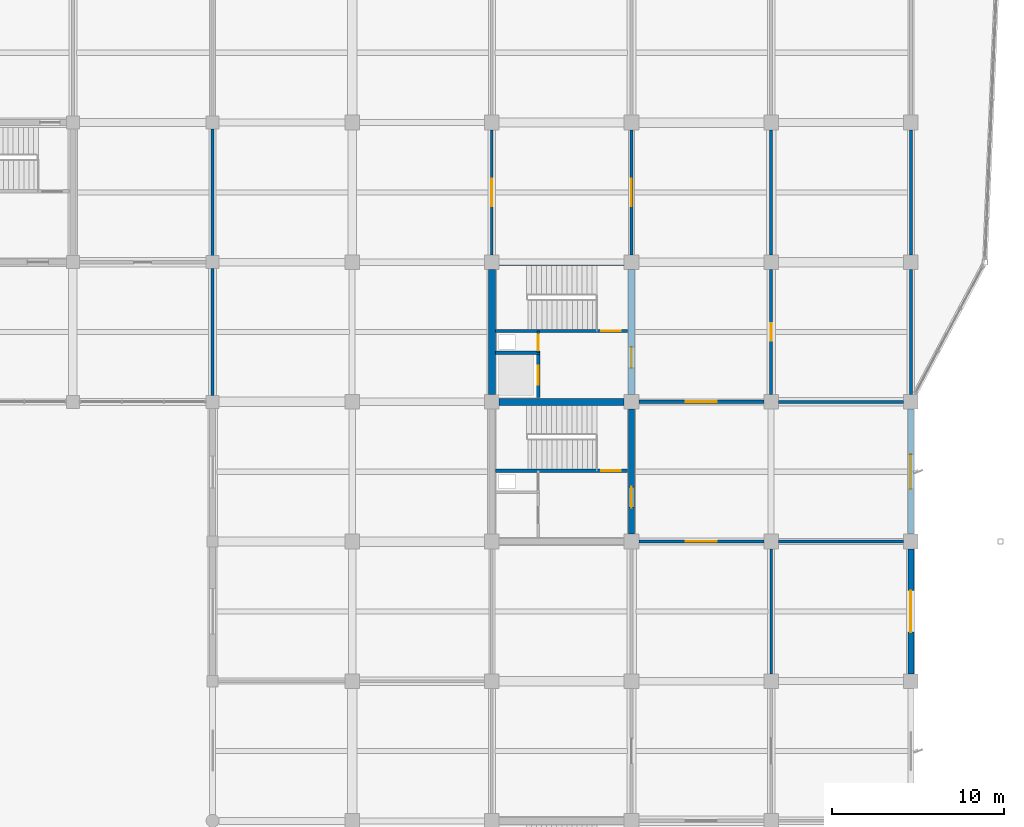
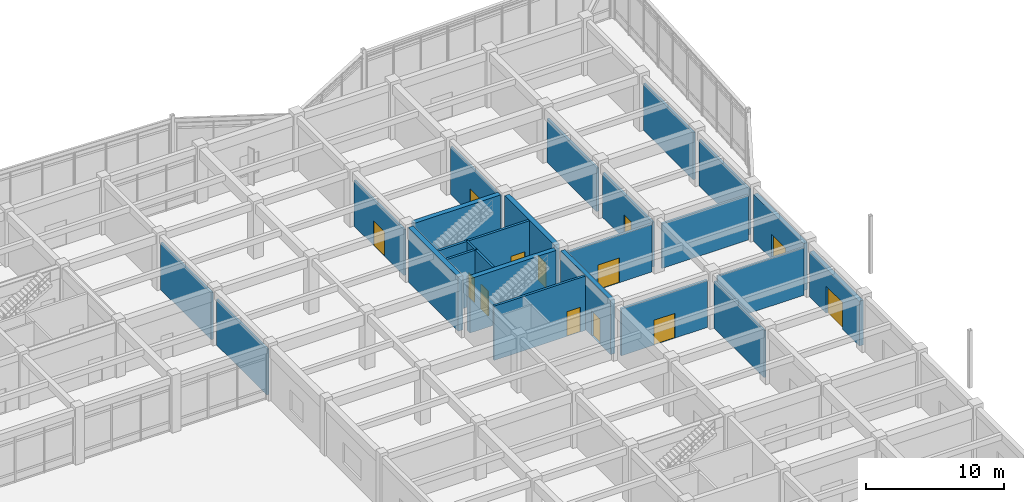
# One storey, part 71 of 99: 25 walls, 13 doors, 13 openings.
"""IFC4 building model written with IfcOpenShell, lengths in metres."""

from ifc_helpers import new_model, si_unit, direction, frame, frame_2d, origin, place, context, subcontext, project, spatial, rectangle, extrude, material, layer, layer_set, type_object, element, fill, save


model = new_model("IFC4")

# Units and contexts
model_context = context("Model", 3, precision=1e-05, world=origin(), true_north=direction((0.0, 1.0)))
body_context = subcontext(model_context, "Body", "Model", "MODEL_VIEW")
ifc_project = project(units=[si_unit("LENGTHUNIT", "METRE"), si_unit("AREAUNIT", "SQUARE_METRE"), si_unit("VOLUMEUNIT", "CUBIC_METRE"), si_unit("PLANEANGLEUNIT", "RADIAN"), si_unit("MASSUNIT", "GRAM", prefix="KILO")], contexts=[model_context])

# Site, building, storey
site_placement = place(None, origin())
site = spatial("IfcSite", under=ifc_project, at=site_placement, CompositionType="ELEMENT")
building_placement = place(site_placement, origin())
building = spatial("IfcBuilding", under=site, at=building_placement, Name="Vaudrelin Polytechnic", CompositionType="ELEMENT")
storey_placement = place(building_placement, origin())
storey = spatial("IfcBuildingStorey", under=building, at=storey_placement, Name="L00", CompositionType="ELEMENT", Elevation=0.0)

# Wall, opening, door
ifc_material_1 = material(Name="Precast concrete 35 MPa with terracotta baguette screen", Category="masonry")
ifc_layer_1 = layer(ifc_material_1, 0.35009765625)
ifc_layer_set_1 = layer_set([ifc_layer_1], Name="Precast concrete 35 MPa with terracotta baguette screen")
wall_type_1 = type_object("IfcWallType", Name="WAL-EW-TERR350", PredefinedType="STANDARD", material=ifc_layer_set_1)
wall_1_placement = place(storey_placement, frame((170.10009765625, 81.423095703125, 0.0), z_axis=(0.0, 0.0, 1.0), x_axis=(0.0, 1.0, 0.0)))
wall_1 = element("IfcWall", 1, at=wall_1_placement, inside=storey, type_object=wall_type_1, Name="Exterior wall L00 E_V4_08", PredefinedType="STANDARD", context=body_context, shape_type="SweptSolid", body=[
    extrude(rectangle(XDim=7.25390625, YDim=0.35009765625, at=frame_2d((3.626953125, 0.0))), origin(), (0.0, 0.0, 1.0), 3.971923828125),
])
opening_1_placement = place(wall_1_placement, frame((4.826904296875, 0.0, 0.0), z_axis=(0.0, 0.0, 1.0), x_axis=(-1.0, 0.0, 0.0)))
opening_1 = element("IfcOpeningElement", 2, at=opening_1_placement, cuts=wall_1, Name="Opening ED-00-21", PredefinedType="OPENING", context=body_context, shape_type="SweptSolid", body=[
    extrude(rectangle(XDim=2.39990234375, YDim=2.39990234375, at=frame_2d((1.199951171875, 1.199951171875))), frame((0.0, 0.18505859375, 0.0), z_axis=(0.0, -1.0, 0.0), x_axis=(1.0, 0.0, 0.0)), (0.0, 0.0, 1.0), 0.3701171875),
])
ifc_material_2 = material(Name="Thermally broken anodised aluminium AA 6063-T6", Category="aluminium")
door_type_1 = type_object("IfcDoorType", Name="DOR-ED-01", OperationType="DOUBLE_SWING_LEFT", PredefinedType="DOOR", material=ifc_material_2)
door_1_placement = place(opening_1_placement, origin())
door_1 = element("IfcDoor", 3, at=door_1_placement, inside=storey, type_object=door_type_1, Name="Exterior exit door ED-00-21", OperationType="DOUBLE_SWING_RIGHT", OverallHeight=2.39990234375, OverallWidth=2.39990234375, PredefinedType="DOOR", context=body_context, shape_type="SweptSolid", body=[
    extrude(rectangle(XDim=2.39990234375, YDim=2.39990234375, at=frame_2d((1.199951171875, 1.199951171875))), frame((0.0, 0.02490234375, 0.0), z_axis=(0.0, -1.0, 0.0), x_axis=(1.0, 0.0, 0.0)), (0.0, 0.0, 1.0), 0.050048828125),
])
fill(opening_1, door_1)

wall_2_placement = place(storey_placement, frame((170.10009765625, 89.52294921875, 0.0), z_axis=(0.0, 0.0, 1.0), x_axis=(0.0, 1.0, 0.0)))
wall_2 = element("IfcWall", 4, at=wall_2_placement, inside=storey, type_object=wall_type_1, Name="Exterior wall L00 E_V4_09", PredefinedType="STANDARD", context=body_context, shape_type="SweptSolid", body=[
    extrude(rectangle(XDim=7.254150390625, YDim=0.35009765625, at=frame_2d((3.626953125, 0.0))), origin(), (0.0, 0.0, 1.0), 4.172119140625),
])
opening_2_placement = place(wall_2_placement, frame((4.626953125, 0.0, 0.0), z_axis=(0.0, 0.0, 1.0), x_axis=(-1.0, 0.0, 0.0)))
opening_2 = element("IfcOpeningElement", 5, at=opening_2_placement, cuts=wall_2, Name="Opening ED-00-33", PredefinedType="OPENING", context=body_context, shape_type="SweptSolid", body=[
    extrude(rectangle(XDim=2.0, YDim=2.199951171875, at=frame_2d((1.0, 1.10009765625))), frame((0.0, 0.18505859375, 0.0), z_axis=(0.0, -1.0, 0.0), x_axis=(1.0, 0.0, 0.0)), (0.0, 0.0, 1.0), 0.3701171875),
])
door_type_2 = type_object("IfcDoorType", Name="DOR-ED-02", OperationType="DOUBLE_SWING_LEFT", PredefinedType="DOOR", material=ifc_material_2)
door_2_placement = place(opening_2_placement, origin())
door_2 = element("IfcDoor", 6, at=door_2_placement, inside=storey, type_object=door_type_2, Name="Exterior exit door ED-00-33", OperationType="DOUBLE_SWING_RIGHT", OverallHeight=2.199951171875, OverallWidth=2.0, PredefinedType="DOOR", context=body_context, shape_type="SweptSolid", body=[
    extrude(rectangle(XDim=2.0, YDim=2.199951171875, at=frame_2d((1.0, 1.10009765625))), frame((0.0, 0.02490234375, 0.0), z_axis=(0.0, -1.0, 0.0), x_axis=(1.0, 0.0, 0.0)), (0.0, 0.0, 1.0), 0.050048828125),
])
fill(opening_2, door_2)

# Wall
ifc_material_3 = material(Name="Acoustic double-stud gypsum & mineral-wool partition", Category="gypsum")
ifc_layer_2 = layer(ifc_material_3, 0.179931640625)
ifc_layer_set_2 = layer_set([ifc_layer_2], Name="Acoustic double-stud gypsum & mineral-wool partition")
wall_type_2 = type_object("IfcWallType", Name="WAL-PW-AC180", PredefinedType="PARTITIONING", material=ifc_layer_set_2)
wall_3_placement = place(storey_placement, frame((129.60009765625, 105.673095703125, 0.0), z_axis=(0.0, 0.0, 1.0), x_axis=(0.0, 1.0, 0.0)))
element("IfcWall", 7, at=wall_3_placement, inside=storey, type_object=wall_type_2, Name="Partition L00-019 E", PredefinedType="PARTITIONING", context=body_context, shape_type="SweptSolid", body=[
    extrude(rectangle(XDim=7.35400390625, YDim=0.179931640625, at=frame_2d((3.677001953125, 0.0))), origin(), (0.0, 0.0, 1.0), 4.172119140625),
])

# Wall, opening, door
wall_4_placement = place(storey_placement, frame((162.0, 97.623046875, 0.0), z_axis=(0.0, 0.0, 1.0), x_axis=(0.0, 1.0, 0.0)))
wall_4 = element("IfcWall", 8, at=wall_4_placement, inside=storey, type_object=wall_type_2, Name="Partition L00-036 W", PredefinedType="PARTITIONING", context=body_context, shape_type="SweptSolid", body=[
    extrude(rectangle(XDim=7.25390625, YDim=0.179931640625, at=frame_2d((3.626953125, 0.0))), origin(), (0.0, 0.0, 1.0), 3.971923828125),
])
opening_3_placement = place(wall_4_placement, frame((3.126953125, 0.0, 0.0)))
opening_3 = element("IfcOpeningElement", 9, at=opening_3_placement, cuts=wall_4, Name="Opening D-L00-444", PredefinedType="OPENING", context=body_context, shape_type="SweptSolid", body=[
    extrude(rectangle(XDim=1.0, YDim=2.14990234375, at=frame_2d((0.5, 1.074951171875))), frame((0.0, 0.10009765625, 0.0), z_axis=(0.0, -1.0, 0.0), x_axis=(1.0, 0.0, 0.0)), (0.0, 0.0, 1.0), 0.199951171875),
])
ifc_material_4 = material(Name="Solid-core birch veneer acoustic leaf", Category="wood")
door_type_3 = type_object("IfcDoorType", Name="DOR-ID-SEM1", OperationType="NOTDEFINED", PredefinedType="DOOR", material=ifc_material_4)
door_3_placement = place(opening_3_placement, origin())
door_3 = element("IfcDoor", 10, at=door_3_placement, inside=storey, type_object=door_type_3, Name="Seminar Room 004 door L00-036", OperationType="SINGLE_SWING_LEFT", OverallHeight=2.14990234375, OverallWidth=1.0, PredefinedType="DOOR", context=body_context, shape_type="SweptSolid", body=[
    extrude(rectangle(XDim=1.0, YDim=2.14990234375, at=frame_2d((0.5, 1.074951171875))), frame((0.0, 0.02490234375, 0.0), z_axis=(0.0, -1.0, 0.0), x_axis=(1.0, 0.0, 0.0)), (0.0, 0.0, 1.0), 0.050048828125),
])
fill(opening_3, door_3)

# Walls
wall_5_placement = place(storey_placement, frame((162.0, 105.722900390625, 0.0), z_axis=(0.0, 0.0, 1.0), x_axis=(0.0, 1.0, 0.0)))
element("IfcWall", 11, at=wall_5_placement, inside=storey, type_object=wall_type_2, Name="Partition L00-036 W", PredefinedType="PARTITIONING", context=body_context, shape_type="SweptSolid", body=[
    extrude(rectangle(XDim=7.254150390625, YDim=0.179931640625, at=frame_2d((3.626953125, 0.0))), origin(), (0.0, 0.0, 1.0), 3.8720703125),
])
wall_6_placement = place(storey_placement, frame((162.423095703125, 97.199951171875, 0.0), z_axis=(0.0, 0.0, 1.0), x_axis=(1.0, 0.0, 0.0)))
element("IfcWall", 12, at=wall_6_placement, inside=storey, type_object=wall_type_2, Name="Partition L00-036 S", PredefinedType="PARTITIONING", context=body_context, shape_type="SweptSolid", body=[
    extrude(rectangle(XDim=7.25390625, YDim=0.179931640625, at=frame_2d((3.626953125, 0.0))), origin(), (0.0, 0.0, 1.0), 3.971923828125),
])
wall_7_placement = place(storey_placement, frame((170.10009765625, 97.623046875, 0.0), z_axis=(0.0, 0.0, 1.0), x_axis=(0.0, 1.0, 0.0)))
element("IfcWall", 13, at=wall_7_placement, inside=storey, type_object=wall_type_2, Name="Partition L00-036 E", PredefinedType="PARTITIONING", context=body_context, shape_type="SweptSolid", body=[
    extrude(rectangle(XDim=7.25390625, YDim=0.179931640625, at=frame_2d((3.626953125, 0.0))), origin(), (0.0, 0.0, 1.0), 4.072021484375),
])
wall_8_placement = place(storey_placement, frame((170.10009765625, 105.722900390625, 0.0), z_axis=(0.0, 0.0, 1.0), x_axis=(0.0, 1.0, 0.0)))
element("IfcWall", 14, at=wall_8_placement, inside=storey, type_object=wall_type_2, Name="Partition L00-036 E", PredefinedType="PARTITIONING", context=body_context, shape_type="SweptSolid", body=[
    extrude(rectangle(XDim=7.254150390625, YDim=0.179931640625, at=frame_2d((3.626953125, 0.0))), origin(), (0.0, 0.0, 1.0), 4.172119140625),
])

# Wall, opening, door
ifc_material_5 = material(Name="Concrete masonry unit 20 MPa shaft & corridor fire wall", Category="masonry")
ifc_layer_3 = layer(ifc_material_5, 0.199951171875)
ifc_layer_set_3 = layer_set([ifc_layer_3], Name="Concrete masonry unit 20 MPa shaft & corridor fire wall")
wall_type_3 = type_object("IfcWallType", Name="WAL-PW-FIRE120", PredefinedType="PARTITIONING", material=ifc_layer_set_3)
wall_9_placement = place(storey_placement, frame((154.322998046875, 89.10009765625, 0.0), z_axis=(0.0, 0.0, 1.0), x_axis=(1.0, 0.0, 0.0)))
wall_9 = element("IfcWall", 15, at=wall_9_placement, inside=storey, type_object=wall_type_3, Name="Interior partition L00 19-11 to 20-11", PredefinedType="PARTITIONING", context=body_context, shape_type="SweptSolid", body=[
    extrude(rectangle(XDim=7.25390625, YDim=0.199951171875, at=frame_2d((3.626953125, 0.0))), origin(), (0.0, 0.0, 1.0), 4.172119140625),
])
opening_4_placement = place(wall_9_placement, frame((2.72705078125, 0.0, 0.0)))
opening_4 = element("IfcOpeningElement", 16, at=opening_4_placement, cuts=wall_9, Name="Opening D-L00-609", PredefinedType="OPENING", context=body_context, shape_type="SweptSolid", body=[
    extrude(rectangle(XDim=1.800048828125, YDim=2.199951171875, at=frame_2d((0.89990234375, 1.10009765625))), frame((0.0, 0.10986328125, 0.0), z_axis=(0.0, -1.0, 0.0), x_axis=(1.0, 0.0, 0.0)), (0.0, 0.0, 1.0), 0.219970703125),
])
ifc_material_6 = material(Name="Pressed galvanised steel acoustic leaf", Category="steel")
door_type_4 = type_object("IfcDoorType", Name="DOR-ID-DBL1", OperationType="NOTDEFINED", PredefinedType="DOOR", material=ifc_material_6)
door_4_placement = place(opening_4_placement, origin())
door_4 = element("IfcDoor", 17, at=door_4_placement, inside=storey, type_object=door_type_4, Name="North-east exit passageway south fire door L00", OperationType="DOUBLE_SWING_LEFT", OverallHeight=2.199951171875, OverallWidth=1.800048828125, PredefinedType="DOOR", context=body_context, shape_type="SweptSolid", body=[
    extrude(rectangle(XDim=1.800048828125, YDim=2.199951171875, at=frame_2d((0.89990234375, 1.10009765625))), frame((0.0, 0.02490234375, 0.0), z_axis=(0.0, -1.0, 0.0), x_axis=(1.0, 0.0, 0.0)), (0.0, 0.0, 1.0), 0.050048828125),
])
fill(opening_4, door_4)

wall_10_placement = place(storey_placement, frame((154.322998046875, 97.199951171875, 0.0), z_axis=(0.0, 0.0, 1.0), x_axis=(1.0, 0.0, 0.0)))
wall_10 = element("IfcWall", 18, at=wall_10_placement, inside=storey, type_object=wall_type_3, Name="Interior partition L00 19-12 to 20-12", PredefinedType="PARTITIONING", context=body_context, shape_type="SweptSolid", body=[
    extrude(rectangle(XDim=7.25390625, YDim=0.199951171875, at=frame_2d((3.626953125, 0.0))), origin(), (0.0, 0.0, 1.0), 4.221923828125),
])
opening_5_placement = place(wall_10_placement, frame((2.72705078125, 0.0, 0.0)))
opening_5 = element("IfcOpeningElement", 19, at=opening_5_placement, cuts=wall_10, Name="Opening D-L00-610", PredefinedType="OPENING", context=body_context, shape_type="SweptSolid", body=[
    extrude(rectangle(XDim=1.800048828125, YDim=2.199951171875, at=frame_2d((0.89990234375, 1.10009765625))), frame((0.0, 0.10986328125, 0.0), z_axis=(0.0, -1.0, 0.0), x_axis=(1.0, 0.0, 0.0)), (0.0, 0.0, 1.0), 0.219970703125),
])
door_5_placement = place(opening_5_placement, origin())
door_5 = element("IfcDoor", 20, at=door_5_placement, inside=storey, type_object=door_type_4, Name="North-east exit passageway north fire door L00", OperationType="DOUBLE_SWING_LEFT", OverallHeight=2.199951171875, OverallWidth=1.800048828125, PredefinedType="DOOR", context=body_context, shape_type="SweptSolid", body=[
    extrude(rectangle(XDim=1.800048828125, YDim=2.199951171875, at=frame_2d((0.89990234375, 1.10009765625))), frame((0.0, 0.02490234375, 0.0), z_axis=(0.0, -1.0, 0.0), x_axis=(1.0, 0.0, 0.0)), (0.0, 0.0, 1.0), 0.050048828125),
])
fill(opening_5, door_5)

ifc_material_7 = material(Name="Fire-rated steel-stud gypsum compartment wall", Category="steel")
ifc_layer_4 = layer(ifc_material_7, 0.14990234375)
ifc_layer_set_4 = layer_set([ifc_layer_4], Name="Fire-rated steel-stud gypsum compartment wall")
wall_type_4 = type_object("IfcWallType", Name="WAL-PW-FIRE60", PredefinedType="PARTITIONING", material=ifc_layer_set_4)
wall_11_placement = place(storey_placement, frame((148.47998046875, 100.050048828125, 0.0), z_axis=(0.0, 0.0, 1.0), x_axis=(0.0, 1.0, 0.0)))
wall_11 = element("IfcWall", 21, at=wall_11_placement, inside=storey, type_object=wall_type_4, Name="Core C6 riser enclosure wall L00", PredefinedType="PARTITIONING", context=body_context, shape_type="SweptSolid", body=[
    extrude(rectangle(XDim=1.260009765625, YDim=0.14990234375, at=frame_2d((0.6298828125, 0.0))), origin(), (0.0, 0.0, 1.0), 4.822021484375),
])
opening_6_placement = place(wall_11_placement, frame((0.139892578125, 0.0, 0.0)))
opening_6 = element("IfcOpeningElement", 22, at=opening_6_placement, cuts=wall_11, Name="Opening D-L00-089", PredefinedType="OPENING", context=body_context, shape_type="SweptSolid", body=[
    extrude(rectangle(XDim=0.89990234375, YDim=2.14990234375, at=frame_2d((0.449951171875, 1.074951171875))), frame((0.0, 0.0849609375, 0.0), z_axis=(0.0, -1.0, 0.0), x_axis=(1.0, 0.0, 0.0)), (0.0, 0.0, 1.0), 0.169921875),
])
door_type_5 = type_object("IfcDoorType", Name="DOR-ID-RSR1", OperationType="NOTDEFINED", PredefinedType="DOOR", material=ifc_material_6)
door_6_placement = place(opening_6_placement, origin())
door_6 = element("IfcDoor", 23, at=door_6_placement, inside=storey, type_object=door_type_5, Name="Core C6 riser access door L00", OperationType="SINGLE_SWING_RIGHT", OverallHeight=2.14990234375, OverallWidth=0.89990234375, PredefinedType="DOOR", context=body_context, shape_type="SweptSolid", body=[
    extrude(rectangle(XDim=0.89990234375, YDim=2.14990234375, at=frame_2d((0.449951171875, 1.074951171875))), frame((0.0, 0.02490234375, 0.0), z_axis=(0.0, -1.0, 0.0), x_axis=(1.0, 0.0, 0.0)), (0.0, 0.0, 1.0), 0.050048828125),
])
fill(opening_6, door_6)

ifc_material_8 = material(Name="Moisture- and chemical-resistant laboratory partition", Category="gypsum")
ifc_layer_5 = layer(ifc_material_8, 0.159912109375)
ifc_layer_set_5 = layer_set([ifc_layer_5], Name="Moisture- and chemical-resistant laboratory partition")
wall_type_5 = type_object("IfcWallType", Name="WAL-PW-LAB160", PredefinedType="PARTITIONING", material=ifc_layer_set_5)
wall_12_placement = place(storey_placement, frame((145.800048828125, 105.722900390625, 0.0), z_axis=(0.0, 0.0, 1.0), x_axis=(0.0, 1.0, 0.0)))
wall_12 = element("IfcWall", 24, at=wall_12_placement, inside=storey, type_object=wall_type_5, Name="Partition L00-024 E", PredefinedType="PARTITIONING", context=body_context, shape_type="SweptSolid", body=[
    extrude(rectangle(XDim=7.254150390625, YDim=0.159912109375, at=frame_2d((3.626953125, 0.0))), origin(), (0.0, 0.0, 1.0), 4.072021484375),
])
opening_7_placement = place(wall_12_placement, frame((2.8369140625, 0.0, 0.0)))
opening_7 = element("IfcOpeningElement", 25, at=opening_7_placement, cuts=wall_12, Name="Opening D-L00-439", PredefinedType="OPENING", context=body_context, shape_type="SweptSolid", body=[
    extrude(rectangle(XDim=1.580078125, YDim=2.199951171875, at=frame_2d((0.7900390625, 1.10009765625))), frame((0.0, 0.08984375, 0.0), z_axis=(0.0, -1.0, 0.0), x_axis=(1.0, 0.0, 0.0)), (0.0, 0.0, 1.0), 0.179931640625),
])
door_type_6 = type_object("IfcDoorType", Name="DOR-ID-LAB3", OperationType="NOTDEFINED", PredefinedType="DOOR", material=ifc_material_6)
door_7_placement = place(opening_7_placement, origin())
door_7 = element("IfcDoor", 26, at=door_7_placement, inside=storey, type_object=door_type_6, Name="Thermal Engines Teaching Laboratory door L00-024", OperationType="DOUBLE_SWING_LEFT", OverallHeight=2.199951171875, OverallWidth=1.580078125, PredefinedType="DOOR", context=body_context, shape_type="SweptSolid", body=[
    extrude(rectangle(XDim=1.580078125, YDim=2.199951171875, at=frame_2d((0.7900390625, 1.10009765625))), frame((0.0, 0.02490234375, 0.0), z_axis=(0.0, -1.0, 0.0), x_axis=(1.0, 0.0, 0.0)), (0.0, 0.0, 1.0), 0.050048828125),
])
fill(opening_7, door_7)

# Wall
wall_13_placement = place(storey_placement, frame((129.60009765625, 97.572998046875, 0.0), z_axis=(0.0, 0.0, 1.0), x_axis=(0.0, 1.0, 0.0)))
element("IfcWall", 27, at=wall_13_placement, inside=storey, type_object=wall_type_5, Name="Partition L00-024 W", PredefinedType="PARTITIONING", context=body_context, shape_type="SweptSolid", body=[
    extrude(rectangle(XDim=7.35400390625, YDim=0.159912109375, at=frame_2d((3.677001953125, 0.0))), origin(), (0.0, 0.0, 1.0), 4.072021484375),
])

# Wall, opening, door
wall_14_placement = place(storey_placement, frame((153.89990234375, 105.722900390625, 0.0), z_axis=(0.0, 0.0, 1.0), x_axis=(0.0, 1.0, 0.0)))
wall_14 = element("IfcWall", 28, at=wall_14_placement, inside=storey, type_object=wall_type_5, Name="Partition L00-025 E", PredefinedType="PARTITIONING", context=body_context, shape_type="SweptSolid", body=[
    extrude(rectangle(XDim=7.254150390625, YDim=0.159912109375, at=frame_2d((3.626953125, 0.0))), origin(), (0.0, 0.0, 1.0), 4.221923828125),
])
opening_8_placement = place(wall_14_placement, frame((2.8369140625, 0.0, 0.0)))
opening_8 = element("IfcOpeningElement", 29, at=opening_8_placement, cuts=wall_14, Name="Opening D-L00-440", PredefinedType="OPENING", context=body_context, shape_type="SweptSolid", body=[
    extrude(rectangle(XDim=1.580078125, YDim=2.199951171875, at=frame_2d((0.7900390625, 1.10009765625))), frame((0.0, 0.08984375, 0.0), z_axis=(0.0, -1.0, 0.0), x_axis=(1.0, 0.0, 0.0)), (0.0, 0.0, 1.0), 0.179931640625),
])
door_8_placement = place(opening_8_placement, origin())
door_8 = element("IfcDoor", 30, at=door_8_placement, inside=storey, type_object=door_type_6, Name="Combustion Diagnostics Laboratory door L00-025", OperationType="DOUBLE_SWING_LEFT", OverallHeight=2.199951171875, OverallWidth=1.580078125, PredefinedType="DOOR", context=body_context, shape_type="SweptSolid", body=[
    extrude(rectangle(XDim=1.580078125, YDim=2.199951171875, at=frame_2d((0.7900390625, 1.10009765625))), frame((0.0, 0.02490234375, 0.0), z_axis=(0.0, -1.0, 0.0), x_axis=(1.0, 0.0, 0.0)), (0.0, 0.0, 1.0), 0.050048828125),
])
fill(opening_8, door_8)

# Walls
wall_15_placement = place(storey_placement, frame((162.0, 81.423095703125, 0.0), z_axis=(0.0, 0.0, 1.0), x_axis=(0.0, 1.0, 0.0)))
element("IfcWall", 31, at=wall_15_placement, inside=storey, type_object=wall_type_5, Name="Partition L00-035 W", PredefinedType="PARTITIONING", context=body_context, shape_type="SweptSolid", body=[
    extrude(rectangle(XDim=7.25390625, YDim=0.159912109375, at=frame_2d((3.626953125, 0.0))), origin(), (0.0, 0.0, 1.0), 4.172119140625),
])
wall_16_placement = place(storey_placement, frame((162.423095703125, 89.10009765625, 0.0), z_axis=(0.0, 0.0, 1.0), x_axis=(1.0, 0.0, 0.0)))
element("IfcWall", 32, at=wall_16_placement, inside=storey, type_object=wall_type_5, Name="Partition L00-035 N", PredefinedType="PARTITIONING", context=body_context, shape_type="SweptSolid", body=[
    extrude(rectangle(XDim=7.25390625, YDim=0.159912109375, at=frame_2d((3.626953125, 0.0))), origin(), (0.0, 0.0, 1.0), 4.221923828125),
])

# Wall, opening, door
ifc_material_9 = material(Name="Concrete 40 MPa", Category="concrete")
ifc_layer_6 = layer(ifc_material_9, 0.199951171875)
ifc_layer_set_6 = layer_set([ifc_layer_6], Name="Concrete 40 MPa")
wall_type_6 = type_object("IfcWallType", Name="WAL-SW-CORE200", PredefinedType="SHEAR", material=ifc_layer_set_6)
wall_17_placement = place(storey_placement, frame((146.02001953125, 101.31005859375, 0.0), z_axis=(0.0, 0.0, 1.0), x_axis=(1.0, 0.0, 0.0)))
wall_17 = element("IfcWall", 33, at=wall_17_placement, inside=storey, type_object=wall_type_6, Name="Core C6 stair enclosure wall L00", PredefinedType="SHEAR", context=body_context, shape_type="SweptSolid", body=[
    extrude(rectangle(XDim=7.659912109375, YDim=0.199951171875, at=frame_2d((3.830078125, 0.0))), origin(), (0.0, 0.0, 1.0), 4.822021484375),
])
opening_9_placement = place(wall_17_placement, frame((6.110107421875, 0.0, 0.0)))
opening_9 = element("IfcOpeningElement", 34, at=opening_9_placement, cuts=wall_17, Name="Opening D-L00-088", PredefinedType="OPENING", context=body_context, shape_type="SweptSolid", body=[
    extrude(rectangle(XDim=1.14990234375, YDim=2.199951171875, at=frame_2d((0.574951171875, 1.10009765625))), frame((0.0, 0.10986328125, 0.0), z_axis=(0.0, -1.0, 0.0), x_axis=(1.0, 0.0, 0.0)), (0.0, 0.0, 1.0), 0.219970703125),
])
door_type_7 = type_object("IfcDoorType", Name="DOR-ID-ST1", OperationType="NOTDEFINED", PredefinedType="DOOR", material=ifc_material_6)
door_9_placement = place(opening_9_placement, origin())
door_9 = element("IfcDoor", 35, at=door_9_placement, inside=storey, type_object=door_type_7, Name="Core C6 exit stair door L00", OperationType="SINGLE_SWING_LEFT", OverallHeight=2.199951171875, OverallWidth=1.14990234375, PredefinedType="DOOR", context=body_context, shape_type="SweptSolid", body=[
    extrude(rectangle(XDim=1.14990234375, YDim=2.199951171875, at=frame_2d((0.574951171875, 1.10009765625))), frame((0.0, 0.02490234375, 0.0), z_axis=(0.0, -1.0, 0.0), x_axis=(1.0, 0.0, 0.0)), (0.0, 0.0, 1.0), 0.050048828125),
])
fill(opening_9, door_9)

wall_18_placement = place(storey_placement, frame((148.47998046875, 97.449951171875, 0.0), z_axis=(0.0, 0.0, 1.0), x_axis=(0.0, 1.0, 0.0)))
wall_18 = element("IfcWall", 36, at=wall_18_placement, inside=storey, type_object=wall_type_6, Name="Lift LF-06 shaft front wall L00", PredefinedType="SHEAR", context=body_context, shape_type="SweptSolid", body=[
    extrude(rectangle(XDim=2.60009765625, YDim=0.199951171875, at=frame_2d((1.300048828125, 0.0))), origin(), (0.0, 0.0, 1.0), 4.822021484375),
])
opening_10_placement = place(wall_18_placement, frame((0.75, 0.0, 0.0)))
opening_10 = element("IfcOpeningElement", 37, at=opening_10_placement, cuts=wall_18, Name="Opening LD-LF-06-L00", PredefinedType="OPENING", context=body_context, shape_type="SweptSolid", body=[
    extrude(rectangle(XDim=1.10009765625, YDim=2.199951171875, at=frame_2d((0.550048828125, 1.10009765625))), frame((0.0, 0.10986328125, 0.0), z_axis=(0.0, -1.0, 0.0), x_axis=(1.0, 0.0, 0.0)), (0.0, 0.0, 1.0), 0.219970703125),
])
ifc_material_10 = material(Name="Brushed stainless steel AISI 304", Category="steel")
door_type_8 = type_object("IfcDoorType", Name="DOR-LD-PAX", OperationType="SLIDING_TO_LEFT", PredefinedType="DOOR", material=ifc_material_10)
door_10_placement = place(opening_10_placement, origin())
door_10 = element("IfcDoor", 38, at=door_10_placement, inside=storey, type_object=door_type_8, Name="Lift LF-06 landing door L00", OperationType="SLIDING_TO_LEFT", OverallHeight=2.199951171875, OverallWidth=1.10009765625, PredefinedType="DOOR", context=body_context, shape_type="SweptSolid", body=[
    extrude(rectangle(XDim=1.10009765625, YDim=2.199951171875, at=frame_2d((0.550048828125, 1.10009765625))), frame((0.0, 0.02490234375, 0.0), z_axis=(0.0, -1.0, 0.0), x_axis=(1.0, 0.0, 0.0)), (0.0, 0.0, 1.0), 0.050048828125),
])
fill(opening_10, door_10)

# Wall
wall_19_placement = place(storey_placement, frame((146.02001953125, 100.050048828125, 0.0), z_axis=(0.0, 0.0, 1.0), x_axis=(1.0, 0.0, 0.0)))
element("IfcWall", 39, at=wall_19_placement, inside=storey, type_object=wall_type_6, Name="Lift LF-06 shaft north wall L00", PredefinedType="SHEAR", context=body_context, shape_type="SweptSolid", body=[
    extrude(rectangle(XDim=2.56005859375, YDim=0.199951171875, at=frame_2d((1.280029296875, 0.0))), origin(), (0.0, 0.0, 1.0), 4.822021484375),
])

# Wall, opening, door
wall_20_placement = place(storey_placement, frame((146.02001953125, 93.2099609375, 0.0), z_axis=(0.0, 0.0, 1.0), x_axis=(1.0, 0.0, 0.0)))
wall_20 = element("IfcWall", 40, at=wall_20_placement, inside=storey, type_object=wall_type_6, Name="Core C13 stair enclosure wall L00", PredefinedType="SHEAR", context=body_context, shape_type="SweptSolid", body=[
    extrude(rectangle(XDim=7.659912109375, YDim=0.199951171875, at=frame_2d((3.830078125, 0.0))), origin(), (0.0, 0.0, 1.0), 4.822021484375),
])
opening_11_placement = place(wall_20_placement, frame((6.110107421875, 0.0, 0.0)))
opening_11 = element("IfcOpeningElement", 41, at=opening_11_placement, cuts=wall_20, Name="Opening D-L00-298", PredefinedType="OPENING", context=body_context, shape_type="SweptSolid", body=[
    extrude(rectangle(XDim=1.14990234375, YDim=2.199951171875, at=frame_2d((0.574951171875, 1.10009765625))), frame((0.0, 0.10986328125, 0.0), z_axis=(0.0, -1.0, 0.0), x_axis=(1.0, 0.0, 0.0)), (0.0, 0.0, 1.0), 0.219970703125),
])
door_11_placement = place(opening_11_placement, origin())
door_11 = element("IfcDoor", 42, at=door_11_placement, inside=storey, type_object=door_type_7, Name="Core C13 exit stair door L00", OperationType="SINGLE_SWING_LEFT", OverallHeight=2.199951171875, OverallWidth=1.14990234375, PredefinedType="DOOR", context=body_context, shape_type="SweptSolid", body=[
    extrude(rectangle(XDim=1.14990234375, YDim=2.199951171875, at=frame_2d((0.574951171875, 1.10009765625))), frame((0.0, 0.02490234375, 0.0), z_axis=(0.0, -1.0, 0.0), x_axis=(1.0, 0.0, 0.0)), (0.0, 0.0, 1.0), 0.050048828125),
])
fill(opening_11, door_11)

ifc_material_11 = material(Name="Concrete 50 MPa", Category="concrete")
ifc_layer_7 = layer(ifc_material_11, 0.35009765625)
ifc_layer_set_7 = layer_set([ifc_layer_7], Name="Concrete 50 MPa")
wall_type_7 = type_object("IfcWallType", Name="WAL-SW-CORE350", PredefinedType="SHEAR", material=ifc_layer_set_7)
wall_21_placement = place(storey_placement, frame((153.89990234375, 89.52294921875, 0.0), z_axis=(0.0, 0.0, 1.0), x_axis=(0.0, 1.0, 0.0)))
wall_21 = element("IfcWall", 43, at=wall_21_placement, inside=storey, type_object=wall_type_7, Name="Core C13 E shear wall L00", PredefinedType="SHEAR", context=body_context, shape_type="SweptSolid", body=[
    extrude(rectangle(XDim=7.254150390625, YDim=0.35009765625, at=frame_2d((3.626953125, 0.0))), origin(), (0.0, 0.0, 1.0), 4.822021484375),
])
opening_12_placement = place(wall_21_placement, frame((2.75, 0.0, 0.0), z_axis=(0.0, 0.0, 1.0), x_axis=(-1.0, 0.0, 0.0)))
opening_12 = element("IfcOpeningElement", 44, at=opening_12_placement, cuts=wall_21, Name="Opening D-L00-297", PredefinedType="OPENING", context=body_context, shape_type="SweptSolid", body=[
    extrude(rectangle(XDim=1.199951171875, YDim=2.199951171875, at=frame_2d((0.60009765625, 1.10009765625))), frame((0.0, 0.18505859375, 0.0), z_axis=(0.0, -1.0, 0.0), x_axis=(1.0, 0.0, 0.0)), (0.0, 0.0, 1.0), 0.3701171875),
])
door_type_9 = type_object("IfcDoorType", Name="DOR-ID-LB1", OperationType="NOTDEFINED", PredefinedType="DOOR", material=ifc_material_6)
door_12_placement = place(opening_12_placement, origin())
door_12 = element("IfcDoor", 45, at=door_12_placement, inside=storey, type_object=door_type_9, Name="Core C13 lobby fire door L00", OperationType="SINGLE_SWING_LEFT", OverallHeight=2.199951171875, OverallWidth=1.199951171875, PredefinedType="DOOR", context=body_context, shape_type="SweptSolid", body=[
    extrude(rectangle(XDim=1.199951171875, YDim=2.199951171875, at=frame_2d((0.60009765625, 1.10009765625))), frame((0.0, 0.02490234375, 0.0), z_axis=(0.0, -1.0, 0.0), x_axis=(1.0, 0.0, 0.0)), (0.0, 0.0, 1.0), 0.050048828125),
])
fill(opening_12, door_12)

# Walls
ifc_layer_8 = layer(ifc_material_11, 0.39990234375)
ifc_layer_set_8 = layer_set([ifc_layer_8], Name="Concrete 50 MPa")
wall_type_8 = type_object("IfcWallType", Name="WAL-SW-CORE400", PredefinedType="SHEAR", material=ifc_layer_set_8)
wall_22_placement = place(storey_placement, frame((146.222900390625, 105.300048828125, 0.0), z_axis=(0.0, 0.0, 1.0), x_axis=(1.0, 0.0, 0.0)))
element("IfcWall", 46, at=wall_22_placement, inside=storey, type_object=wall_type_8, Name="Core C6 N shear wall L00", PredefinedType="SHEAR", context=body_context, shape_type="SweptSolid", body=[
    extrude(rectangle(XDim=7.254150390625, YDim=0.39990234375, at=frame_2d((3.626953125, 0.0))), origin(), (0.0, 0.0, 1.0), 4.822021484375),
])
wall_23_placement = place(storey_placement, frame((145.800048828125, 97.623046875, 0.0), z_axis=(0.0, 0.0, 1.0), x_axis=(0.0, 1.0, 0.0)))
element("IfcWall", 47, at=wall_23_placement, inside=storey, type_object=wall_type_8, Name="Core C6 W shear wall L00", PredefinedType="SHEAR", context=body_context, shape_type="SweptSolid", body=[
    extrude(rectangle(XDim=7.25390625, YDim=0.39990234375, at=frame_2d((3.626953125, 0.0))), origin(), (0.0, 0.0, 1.0), 4.822021484375),
])

# Wall, opening, door
wall_24_placement = place(storey_placement, frame((153.89990234375, 97.623046875, 0.0), z_axis=(0.0, 0.0, 1.0), x_axis=(0.0, 1.0, 0.0)))
wall_24 = element("IfcWall", 48, at=wall_24_placement, inside=storey, type_object=wall_type_8, Name="Core C6 E shear wall L00", PredefinedType="SHEAR", context=body_context, shape_type="SweptSolid", body=[
    extrude(rectangle(XDim=7.25390625, YDim=0.39990234375, at=frame_2d((3.626953125, 0.0))), origin(), (0.0, 0.0, 1.0), 4.822021484375),
])
opening_13_placement = place(wall_24_placement, frame((2.75, 0.0, 0.0), z_axis=(0.0, 0.0, 1.0), x_axis=(-1.0, 0.0, 0.0)))
opening_13 = element("IfcOpeningElement", 49, at=opening_13_placement, cuts=wall_24, Name="Opening D-L00-087", PredefinedType="OPENING", context=body_context, shape_type="SweptSolid", body=[
    extrude(rectangle(XDim=1.199951171875, YDim=2.199951171875, at=frame_2d((0.60009765625, 1.10009765625))), frame((0.0, 0.2099609375, 0.0), z_axis=(0.0, -1.0, 0.0), x_axis=(1.0, 0.0, 0.0)), (0.0, 0.0, 1.0), 0.419921875),
])
door_13_placement = place(opening_13_placement, origin())
door_13 = element("IfcDoor", 50, at=door_13_placement, inside=storey, type_object=door_type_9, Name="Core C6 lobby fire door L00", OperationType="SINGLE_SWING_RIGHT", OverallHeight=2.199951171875, OverallWidth=1.199951171875, PredefinedType="DOOR", context=body_context, shape_type="SweptSolid", body=[
    extrude(rectangle(XDim=1.199951171875, YDim=2.199951171875, at=frame_2d((0.60009765625, 1.10009765625))), frame((0.0, 0.02490234375, 0.0), z_axis=(0.0, -1.0, 0.0), x_axis=(1.0, 0.0, 0.0)), (0.0, 0.0, 1.0), 0.050048828125),
])
fill(opening_13, door_13)

# Wall
wall_25_placement = place(storey_placement, frame((146.222900390625, 97.199951171875, 0.0), z_axis=(0.0, 0.0, 1.0), x_axis=(1.0, 0.0, 0.0)))
element("IfcWall", 51, at=wall_25_placement, inside=storey, type_object=wall_type_8, Name="Core C6 S shear wall L00", PredefinedType="SHEAR", context=body_context, shape_type="SweptSolid", body=[
    extrude(rectangle(XDim=7.254150390625, YDim=0.39990234375, at=frame_2d((3.626953125, 0.0))), origin(), (0.0, 0.0, 1.0), 4.822021484375),
])

save(model, "model.ifc")
